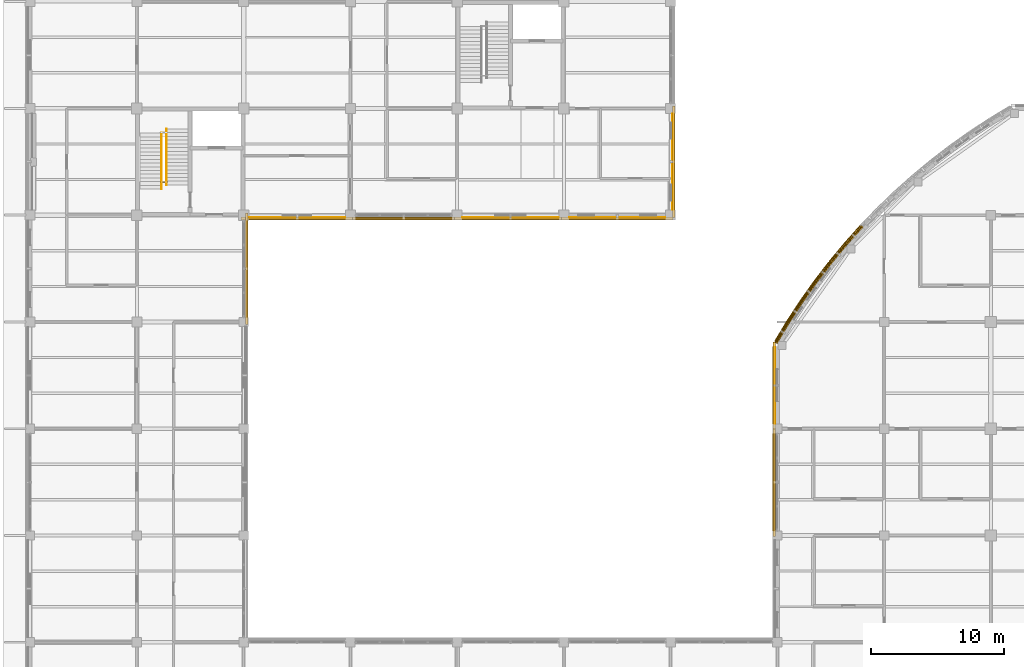
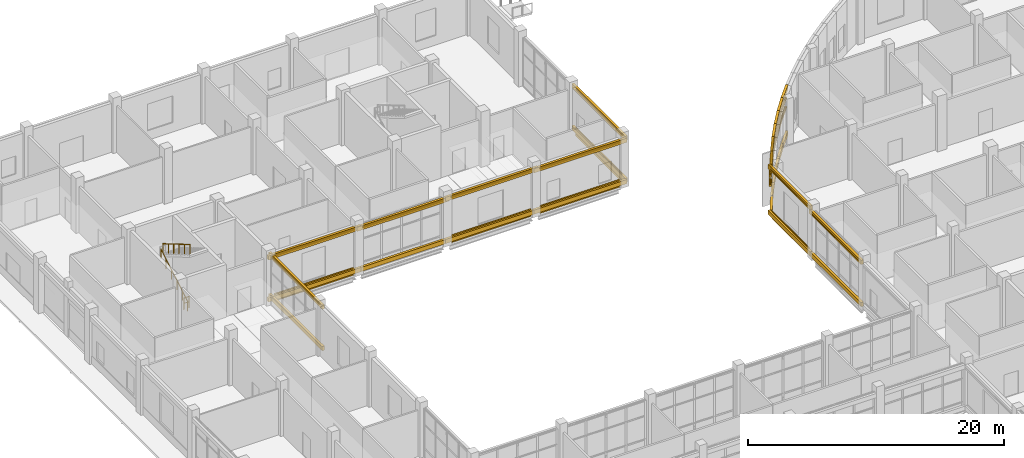
# One storey, part 99 of 105: 33 coverings, 20 shading devices, 3 railings.
"""IFC4 building model written with IfcOpenShell, lengths in metres."""

from ifc_helpers import new_model, si_unit, derived_unit, direction, frame, origin, origin_2d, place, context, subcontext, project, spatial, rectangle, circle, extrude, material, layer, layer_set, material_profile, profile_set, type_object, element, save


model = new_model("IFC4")

# Units and contexts
model_context = context("Model", 3, precision=1e-05, world=origin(), true_north=direction((0.0, 1.0)))
body_context = subcontext(model_context, "Body", "Model", "MODEL_VIEW")
ifc_project = project(units=[si_unit("LENGTHUNIT", "METRE"), si_unit("AREAUNIT", "SQUARE_METRE"), si_unit("VOLUMEUNIT", "CUBIC_METRE"), si_unit("PLANEANGLEUNIT", "RADIAN"), si_unit("MASSUNIT", "GRAM", prefix="KILO"), derived_unit("THERMALTRANSMITTANCEUNIT", [(si_unit("MASSUNIT", "GRAM", prefix="KILO"), 1), (si_unit("TIMEUNIT", "SECOND"), -3), (si_unit("THERMODYNAMICTEMPERATUREUNIT", "KELVIN"), -1)])], contexts=[model_context])

# Site, building, storey
site_placement = place(None, origin())
site = spatial("IfcSite", under=ifc_project, at=site_placement, CompositionType="ELEMENT")
building_placement = place(site_placement, origin())
building = spatial("IfcBuilding", under=site, at=building_placement, Name="Veyamyaing Civic Hall", CompositionType="ELEMENT")
storey_placement = place(building_placement, origin())
storey = spatial("IfcBuildingStorey", under=building, at=storey_placement, Name="L00", CompositionType="ELEMENT", Elevation=0.0)

# Coverings
ifc_material_1 = material(Name="Buff sandstone ashlar cladding", Category="masonry")
ifc_layer_1 = layer(ifc_material_1, 0.050048828125, Name="Buff sandstone ashlar cladding")
ifc_layer_set_1 = layer_set([ifc_layer_1], Name="Buff sandstone ashlar cladding")
covering_type_1 = type_object("IfcCoveringType", Name="CL-01", PredefinedType="CLADDING", material=ifc_layer_set_1)
covering_1_placement = place(storey_placement, frame((20.012451171875, 87.839111328125, 0.044921875), z_axis=(0.0, 0.0, 1.0), x_axis=(1.0, 0.0, 0.0)))
element("IfcCovering", 1, at=covering_1_placement, inside=storey, type_object=covering_type_1, Name="Facade spandrel cladding CL-01 L00 S 3.12", PredefinedType="CLADDING", context=body_context, shape_type="SweptSolid", body=[
    extrude(rectangle(XDim=7.175048828125, YDim=0.050048828125, at=origin_2d()), origin(), (0.0, 0.0, 1.0), 0.75),
])
for number, where, z_axis, x_axis, name in (
    (2, (36.0, 87.839111328125, 0.044921875), (0.0, 0.0, 1.0), (1.0, 0.0, 0.0), "Facade spandrel cladding CL-01 L00 S 5.12"),
    (3, (44.0, 87.839111328125, 0.044921875), (0.0, 0.0, 1.0), (1.0, 0.0, 0.0), "Facade spandrel cladding CL-01 L00 S 6.12"),
    (4, (48.160888671875, 92.0, 0.044921875), (0.0, 0.0, 1.0), (0.0, 1.0, 0.0), "Facade spandrel cladding CL-01 L00 E 6.12"),
):
    element("IfcCovering", number, at=place(storey_placement, frame(where, z_axis=z_axis, x_axis=x_axis)), inside=storey, type_object=covering_type_1, Name=name, PredefinedType="CLADDING", context=body_context, shape_type="SweptSolid", body=[
        extrude(rectangle(XDim=7.199951171875, YDim=0.050048828125, at=origin_2d()), origin(), (0.0, 0.0, 1.0), 0.75),
    ])
covering_2_placement = place(storey_placement, frame((55.826416015625, 75.240478515625, 0.044921875), z_axis=(0.0, 0.0, 1.0), x_axis=(0.0, 1.0, 0.0)))
element("IfcCovering", 5, at=covering_2_placement, inside=storey, type_object=covering_type_1, Name="Facade spandrel cladding CL-01 L00 W 8.10", PredefinedType="CLADDING", context=body_context, shape_type="SweptSolid", body=[
    extrude(rectangle(XDim=5.730712890625, YDim=0.050048828125, at=origin_2d()), origin(), (0.0, 0.0, 1.0), 0.75),
])
ifc_material_2 = material(Name="White powder-coated aluminium 6063-T6", Category="aluminium")
ifc_layer_2 = layer(ifc_material_2, 0.2099609375, Name="White powder-coated aluminium 6063-T6")
ifc_layer_set_2 = layer_set([ifc_layer_2], Name="White powder-coated aluminium 6063-T6")
covering_type_2 = type_object("IfcCoveringType", Name="CL-03", PredefinedType="CLADDING", material=ifc_layer_set_2)
for number, where, z_axis, x_axis, name in (
    (6, (61.72509765625, 86.463134765625, 0.27001953125), (0.0, 0.0, 1.0), (-0.666346529453, -0.745642208225, 0.0), "Continuous white corner ribbon CL-03 L00 NW.9.1"),
    (7, (61.72509765625, 86.463134765625, 4.64501953125), (0.0, 0.0, 1.0), (-0.666346529453, -0.745642208225, 0.0), "Continuous white corner ribbon CL-03 L00 NW.9.2"),
    (8, (60.55224609375, 85.1005859375, 0.27001953125), (0.0, 0.0, 1.0), (-0.638000405445, -0.770036026853, 0.0), "Continuous white corner ribbon CL-03 L00 NW.10.1"),
    (9, (60.55224609375, 85.1005859375, 4.64501953125), (0.0, 0.0, 1.0), (-0.638000405445, -0.770036026853, 0.0), "Continuous white corner ribbon CL-03 L00 NW.10.2"),
    (10, (59.431396484375, 83.69482421875, 0.27001953125), (0.0, 0.0, 1.0), (-0.608761490723, -0.793353292936, 0.0), "Continuous white corner ribbon CL-03 L00 NW.11.1"),
    (11, (59.431396484375, 83.69482421875, 4.64501953125), (0.0, 0.0, 1.0), (-0.608761490723, -0.793353292936, 0.0), "Continuous white corner ribbon CL-03 L00 NW.11.2"),
    (12, (58.364013671875, 82.248291015625, 0.27001953125), (0.0, 0.0, 1.0), (-0.578671161892, -0.815560964241, 0.0), "Continuous white corner ribbon CL-03 L00 NW.12.1"),
    (13, (58.364013671875, 82.248291015625, 4.64501953125), (0.0, 0.0, 1.0), (-0.578671161892, -0.815560964241, 0.0), "Continuous white corner ribbon CL-03 L00 NW.12.2"),
    (14, (57.351318359375, 80.76318359375, 0.27001953125), (0.0, 0.0, 1.0), (-0.547771714075, -0.836627843942, 0.0), "Continuous white corner ribbon CL-03 L00 NW.13.1"),
    (15, (57.351318359375, 80.76318359375, 4.64501953125), (0.0, 0.0, 1.0), (-0.547771714075, -0.836627843942, 0.0), "Continuous white corner ribbon CL-03 L00 NW.13.2"),
    (16, (56.394775390625, 79.24072265625, 0.27001953125), (0.0, 0.0, 1.0), (-0.516106513571, -0.856524411006, 0.0), "Continuous white corner ribbon CL-03 L00 NW.14.1"),
    (17, (56.394775390625, 79.24072265625, 4.64501953125), (0.0, 0.0, 1.0), (-0.516106513571, -0.856524411006, 0.0), "Continuous white corner ribbon CL-03 L00 NW.14.2"),
):
    element("IfcCovering", number, at=place(storey_placement, frame(where, z_axis=z_axis, x_axis=x_axis)), inside=storey, type_object=covering_type_2, Name=name, PredefinedType="CLADDING", context=body_context, shape_type="SweptSolid", body=[
        extrude(rectangle(XDim=1.93505859375, YDim=0.2099609375, at=origin_2d()), origin(), (0.0, 0.0, 1.0), 0.419921875),
    ])
for number, where, z_axis, x_axis, name in (
    (18, (16.239990234375, 84.0, 4.235107421875), (0.0, 0.0, 1.0), (0.0, 1.0, 0.0), "Continuous white head fascia ribbon CL-03 L00 E 2.11"),
    (19, (16.239990234375, 84.0, 0.280029296875), (0.0, 0.0, 1.0), (0.0, 1.0, 0.0), "Continuous white sill fascia ribbon CL-03 L00 E 2.11"),
    (20, (20.0, 87.760009765625, 4.2939453125), (0.0, 0.0, 1.0), (1.0, 0.0, 0.0), "Continuous white head fascia ribbon CL-03 L00 S 3.12"),
    (21, (20.0, 87.760009765625, 0.280029296875), (0.0, 0.0, 1.0), (1.0, 0.0, 0.0), "Continuous white sill fascia ribbon CL-03 L00 S 3.12"),
    (22, (28.0, 87.760009765625, 4.234130859375), (0.0, 0.0, 1.0), (1.0, 0.0, 0.0), "Continuous white head fascia ribbon CL-03 L00 S 4.12"),
    (23, (28.0, 87.760009765625, 0.280029296875), (0.0, 0.0, 1.0), (1.0, 0.0, 0.0), "Continuous white sill fascia ribbon CL-03 L00 S 4.12"),
    (24, (36.0, 87.760009765625, 4.297119140625), (0.0, 0.0, 1.0), (1.0, 0.0, 0.0), "Continuous white head fascia ribbon CL-03 L00 S 5.12"),
    (25, (36.0, 87.760009765625, 0.280029296875), (0.0, 0.0, 1.0), (1.0, 0.0, 0.0), "Continuous white sill fascia ribbon CL-03 L00 S 5.12"),
    (26, (44.0, 87.760009765625, 4.22998046875), (0.0, 0.0, 1.0), (1.0, 0.0, 0.0), "Continuous white head fascia ribbon CL-03 L00 S 6.12"),
    (27, (44.0, 87.760009765625, 0.280029296875), (0.0, 0.0, 1.0), (1.0, 0.0, 0.0), "Continuous white sill fascia ribbon CL-03 L00 S 6.12"),
    (28, (48.239990234375, 92.0, 4.2939453125), (0.0, 0.0, 1.0), (0.0, 1.0, 0.0), "Continuous white head fascia ribbon CL-03 L00 E 6.12"),
    (29, (48.239990234375, 92.0, 0.280029296875), (0.0, 0.0, 1.0), (0.0, 1.0, 0.0), "Continuous white sill fascia ribbon CL-03 L00 E 6.12"),
):
    element("IfcCovering", number, at=place(storey_placement, frame(where, z_axis=z_axis, x_axis=x_axis)), inside=storey, type_object=covering_type_2, Name=name, PredefinedType="CLADDING", context=body_context, shape_type="SweptSolid", body=[
        extrude(rectangle(XDim=8.360107421875, YDim=0.2099609375, at=origin_2d()), origin(), (0.0, 0.0, 1.0), 0.39990234375),
    ])
for number, where, z_axis, x_axis, name in (
    (30, (55.760009765625, 68.0, 4.297119140625), (0.0, 0.0, 1.0), (0.0, 1.0, 0.0), "Continuous white head fascia ribbon CL-03 L00 W 8.9"),
    (31, (55.760009765625, 68.0, 0.280029296875), (0.0, 0.0, 1.0), (0.0, 1.0, 0.0), "Continuous white sill fascia ribbon CL-03 L00 W 8.9"),
):
    element("IfcCovering", number, at=place(storey_placement, frame(where, z_axis=z_axis, x_axis=x_axis)), inside=storey, type_object=covering_type_2, Name=name, PredefinedType="CLADDING", context=body_context, shape_type="SweptSolid", body=[
        extrude(rectangle(XDim=8.1201171875, YDim=0.2099609375, at=origin_2d()), origin(), (0.0, 0.0, 1.0), 0.39990234375),
    ])
for number, where, z_axis, x_axis, name in (
    (32, (55.760009765625, 75.21533203125, 4.655029296875), (0.0, 0.0, 1.0), (0.0, 1.0, 0.0), "Continuous white head fascia ribbon CL-03 L00 W 8.10"),
    (33, (55.760009765625, 75.21533203125, 0.280029296875), (0.0, 0.0, 1.0), (0.0, 1.0, 0.0), "Continuous white sill fascia ribbon CL-03 L00 W 8.10"),
):
    element("IfcCovering", number, at=place(storey_placement, frame(where, z_axis=z_axis, x_axis=x_axis)), inside=storey, type_object=covering_type_2, Name=name, PredefinedType="CLADDING", context=body_context, shape_type="SweptSolid", body=[
        extrude(rectangle(XDim=6.55078125, YDim=0.2099609375, at=origin_2d()), origin(), (0.0, 0.0, 1.0), 0.39990234375),
    ])

# Railings
ifc_material_3 = material(Name="Steel S355J2", Category="steel")
railing_type_1 = type_object("IfcRailingType", Name="RL-01", PredefinedType="BALUSTRADE", material=ifc_material_3)
railing_1_placement = place(storey_placement, frame((9.800048828125, 90.47998046875, 0.0)))
element("IfcRailing", 34, at=railing_1_placement, inside=storey, type_object=railing_type_1, Name="Floor-landing slot guard RL-01 ST-01 L00", PredefinedType="BALUSTRADE", context=body_context, shape_type="SweptSolid", body=[
    extrude(circle(Radius=0.02392578125, at=origin_2d()), frame((0.0, 0.0, 1.076171875), z_axis=(1.0, 0.0, 0.0), x_axis=(0.0, 1.0, 0.0)), (0.0, 0.0, 1.0), 0.469970703125),
    extrude(circle(Radius=0.01416015625, at=origin_2d()), frame((0.0, 0.0, 0.572021484375), z_axis=(1.0, 0.0, 0.0), x_axis=(0.0, 1.0, 0.0)), (0.0, 0.0, 1.0), 0.469970703125),
    extrude(circle(Radius=0.02099609375, at=origin_2d()), origin(), (0.0, 0.0, 1.0), 1.052001953125),
    extrude(circle(Radius=0.02099609375, at=origin_2d()), frame((0.469970703125, 0.0, 0.0)), (0.0, 0.0, 1.0), 1.052001953125),
])
railing_type_2 = type_object("IfcRailingType", Name="RL-02", PredefinedType="HANDRAIL", material=ifc_material_3)
railing_2_placement = place(storey_placement, frame((9.840087890625, 89.949951171875, 0.1650390625)))
element("IfcRailing", 35, at=railing_2_placement, inside=storey, type_object=railing_type_2, Name="Stair pitch handrail RL-02 ST-01 L00.1", PredefinedType="HANDRAIL", context=body_context, shape_type="SweptSolid", body=[
    extrude(circle(Radius=0.02392578125, at=origin_2d()), frame((0.0, 0.0, 0.89599609375), z_axis=(0.0, 0.861549022881, 0.507674384988), x_axis=(-1.0, 0.0, 0.0)), (0.0, 0.0, 1.0), 4.875),
    extrude(circle(Radius=0.02099609375, at=origin_2d()), origin(), (0.0, 0.0, 1.0), 0.871826171875),
    extrude(circle(Radius=0.02099609375, at=origin_2d()), frame((0.0, 0.840087890625, 0.494873046875)), (0.0, 0.0, 1.0), 0.871826171875),
    extrude(circle(Radius=0.02099609375, at=origin_2d()), frame((0.0, 1.679931640625, 0.989990234375)), (0.0, 0.0, 1.0), 0.871826171875),
    extrude(circle(Radius=0.02099609375, at=origin_2d()), frame((0.0, 2.52001953125, 1.48486328125)), (0.0, 0.0, 1.0), 0.871826171875),
    extrude(circle(Radius=0.02099609375, at=origin_2d()), frame((0.0, 3.35986328125, 1.97998046875)), (0.0, 0.0, 1.0), 0.871826171875),
    extrude(circle(Radius=0.02099609375, at=origin_2d()), frame((0.0, 4.199951171875, 2.474853515625)), (0.0, 0.0, 1.0), 0.871826171875),
])
railing_3_placement = place(storey_placement, frame((10.219970703125, 94.469970703125, 2.804931640625)))
element("IfcRailing", 36, at=railing_3_placement, inside=storey, type_object=railing_type_2, Name="Stair pitch handrail RL-02 ST-01 L00.2", PredefinedType="HANDRAIL", context=body_context, shape_type="SweptSolid", body=[
    extrude(circle(Radius=0.02392578125, at=origin_2d()), frame((0.0, 0.0, 0.89599609375), z_axis=(0.0, -0.861527117747, 0.50771155727), x_axis=(1.0, 0.0, 0.0)), (0.0, 0.0, 1.0), 4.875),
    extrude(circle(Radius=0.02099609375, at=origin_2d()), origin(), (0.0, 0.0, 1.0), 0.871826171875),
    extrude(circle(Radius=0.02099609375, at=origin_2d()), frame((0.0, -0.840087890625, 0.4951171875)), (0.0, 0.0, 1.0), 0.871826171875),
    extrude(circle(Radius=0.02099609375, at=origin_2d()), frame((0.0, -1.679931640625, 0.989990234375)), (0.0, 0.0, 1.0), 0.871826171875),
    extrude(circle(Radius=0.02099609375, at=origin_2d()), frame((0.0, -2.52001953125, 1.485107421875)), (0.0, 0.0, 1.0), 0.871826171875),
    extrude(circle(Radius=0.02099609375, at=origin_2d()), frame((0.0, -3.35986328125, 1.97998046875)), (0.0, 0.0, 1.0), 0.871826171875),
    extrude(circle(Radius=0.02099609375, at=origin_2d()), frame((0.0, -4.199951171875, 2.47509765625)), (0.0, 0.0, 1.0), 0.871826171875),
])

# Shading devices
ifc_material_profile_1 = material_profile(ifc_material_2, circle(Radius=0.110107421875, at=origin_2d()), Name="SHADE-TUBE-220")
ifc_profile_set_1 = profile_set([ifc_material_profile_1], Name="White powder-coated aluminium 6063-T6")
shading_device_type_1 = type_object("IfcShadingDeviceType", Name="SH-01", PredefinedType="USERDEFINED", material=ifc_profile_set_1)
for number, where, z_axis, x_axis, name in (
    (37, (62.263427734375, 87.185791015625, 2.949951171875), (-0.666277888361, -0.745703543965, 0.0), (0.745703543965, -0.666277888361, 0.0), "White corner sunshade ribbon SH-01 L00 NW.9.1"),
    (38, (62.263427734375, 87.185791015625, 3.85009765625), (-0.666277888361, -0.745703543965, 0.0), (0.745703543965, -0.666277888361, 0.0), "White corner sunshade ribbon SH-01 L00 NW.9.2"),
    (39, (61.0634765625, 85.8427734375, 2.949951171875), (-0.637987912111, -0.770046377824, 0.0), (0.770046377824, -0.637987912111, 0.0), "White corner sunshade ribbon SH-01 L00 NW.10.1"),
    (40, (61.0634765625, 85.8427734375, 3.85009765625), (-0.637987912111, -0.770046377824, 0.0), (0.770046377824, -0.637987912111, 0.0), "White corner sunshade ribbon SH-01 L00 NW.10.2"),
    (41, (59.914306640625, 84.455810546875, 2.949951171875), (-0.608711298549, -0.79339180423, 0.0), (0.79339180423, -0.608711298549, 0.0), "White corner sunshade ribbon SH-01 L00 NW.11.1"),
    (42, (59.914306640625, 84.455810546875, 3.85009765625), (-0.608711298549, -0.79339180423, 0.0), (0.79339180423, -0.608711298549, 0.0), "White corner sunshade ribbon SH-01 L00 NW.11.2"),
):
    element("IfcShadingDevice", number, at=place(storey_placement, frame(where, z_axis=z_axis, x_axis=x_axis)), inside=storey, type_object=shading_device_type_1, Name=name, ObjectType="SUNSHADE", PredefinedType="USERDEFINED", context=body_context, shape_type="SweptSolid", body=[
        extrude(circle(Radius=0.110107421875, at=origin_2d()), origin(), (0.0, 0.0, 1.0), 1.795166015625),
    ])
for number, where, z_axis, x_axis, name in (
    (43, (58.818115234375, 83.026611328125, 2.949951171875), (-0.578726580586, -0.815521639764, 0.0), (0.815521639764, -0.578726580586, 0.0), "White corner sunshade ribbon SH-01 L00 NW.12.1"),
    (44, (58.818115234375, 83.026611328125, 3.85009765625), (-0.578726580586, -0.815521639764, 0.0), (0.815521639764, -0.578726580586, 0.0), "White corner sunshade ribbon SH-01 L00 NW.12.2"),
):
    element("IfcShadingDevice", number, at=place(storey_placement, frame(where, z_axis=z_axis, x_axis=x_axis)), inside=storey, type_object=shading_device_type_1, Name=name, ObjectType="SUNSHADE", PredefinedType="USERDEFINED", context=body_context, shape_type="SweptSolid", body=[
        extrude(circle(Radius=0.110107421875, at=origin_2d()), origin(), (0.0, 0.0, 1.0), 1.794921875),
    ])
for number, where, z_axis, x_axis, name in (
    (45, (57.77587890625, 81.557861328125, 2.949951171875), (-0.547776876079, -0.836624464161, 0.0), (0.836624464161, -0.547776876079, 0.0), "White corner sunshade ribbon SH-01 L00 NW.13.1"),
    (46, (57.77587890625, 81.557861328125, 3.85009765625), (-0.547776876079, -0.836624464161, 0.0), (0.836624464161, -0.547776876079, 0.0), "White corner sunshade ribbon SH-01 L00 NW.13.2"),
):
    element("IfcShadingDevice", number, at=place(storey_placement, frame(where, z_axis=z_axis, x_axis=x_axis)), inside=storey, type_object=shading_device_type_1, Name=name, ObjectType="SUNSHADE", PredefinedType="USERDEFINED", context=body_context, shape_type="SweptSolid", body=[
        extrude(circle(Radius=0.110107421875, at=origin_2d()), origin(), (0.0, 0.0, 1.0), 1.795166015625),
    ])
for number, where, z_axis, x_axis, name in (
    (47, (56.789306640625, 80.05078125, 2.949951171875), (-0.51607516088, -0.856543302071, 0.0), (0.856543302071, -0.51607516088, 0.0), "White corner sunshade ribbon SH-01 L00 NW.14.1"),
    (48, (56.789306640625, 80.05078125, 3.85009765625), (-0.51607516088, -0.856543302071, 0.0), (0.856543302071, -0.51607516088, 0.0), "White corner sunshade ribbon SH-01 L00 NW.14.2"),
):
    element("IfcShadingDevice", number, at=place(storey_placement, frame(where, z_axis=z_axis, x_axis=x_axis)), inside=storey, type_object=shading_device_type_1, Name=name, ObjectType="SUNSHADE", PredefinedType="USERDEFINED", context=body_context, shape_type="SweptSolid", body=[
        extrude(circle(Radius=0.110107421875, at=origin_2d()), origin(), (0.0, 0.0, 1.0), 1.794921875),
    ])
shading_device_1_placement = place(storey_placement, frame((55.760009765625, 64.3349609375, 4.45703125), z_axis=(0.0, 1.0, 0.0), x_axis=(-1.0, 0.0, 0.0)))
element("IfcShadingDevice", 49, at=shading_device_1_placement, inside=storey, type_object=shading_device_type_1, Name="Horizontal white sunshade ribbon SH-01 L00 W 8.9", ObjectType="SUNSHADE", PredefinedType="USERDEFINED", context=body_context, shape_type="SweptSolid", body=[
    extrude(circle(Radius=0.110107421875, at=origin_2d()), origin(), (0.0, 0.0, 1.0), 7.330078125),
])
shading_device_2_placement = place(storey_placement, frame((55.760009765625, 72.3349609375, 4.81494140625), z_axis=(0.0, 1.0, 0.0), x_axis=(-1.0, 0.0, 0.0)))
element("IfcShadingDevice", 50, at=shading_device_2_placement, inside=storey, type_object=shading_device_type_1, Name="Horizontal white sunshade ribbon SH-01 L00 W 8.10", ObjectType="SUNSHADE", PredefinedType="USERDEFINED", context=body_context, shape_type="SweptSolid", body=[
    extrude(circle(Radius=0.110107421875, at=origin_2d()), origin(), (0.0, 0.0, 1.0), 5.810791015625),
])
ifc_material_profile_2 = material_profile(ifc_material_2, circle(Radius=0.090087890625, at=origin_2d()), Name="SHADE-TUBE-180")
ifc_profile_set_2 = profile_set([ifc_material_profile_2], Name="White powder-coated aluminium 6063-T6")
shading_device_type_2 = type_object("IfcShadingDeviceType", Name="SH-02", PredefinedType="USERDEFINED", material=ifc_profile_set_2)
shading_device_3_placement = place(storey_placement, frame((16.239990234375, 80.3349609375, 4.39501953125), z_axis=(0.0, 1.0, 0.0), x_axis=(-1.0, 0.0, 0.0)))
element("IfcShadingDevice", 51, at=shading_device_3_placement, inside=storey, type_object=shading_device_type_2, Name="Horizontal white sunshade ribbon SH-02 L00 E 2.11", ObjectType="SUNSHADE", PredefinedType="USERDEFINED", context=body_context, shape_type="SweptSolid", body=[
    extrude(circle(Radius=0.090087890625, at=origin_2d()), origin(), (0.0, 0.0, 1.0), 7.280029296875),
])
shading_device_4_placement = place(storey_placement, frame((16.385009765625, 87.760009765625, 4.4541015625), z_axis=(1.0, 0.0, 0.0), x_axis=(0.0, 1.0, 0.0)))
element("IfcShadingDevice", 52, at=shading_device_4_placement, inside=storey, type_object=shading_device_type_2, Name="Horizontal white sunshade ribbon SH-02 L00 S 3.12", ObjectType="SUNSHADE", PredefinedType="USERDEFINED", context=body_context, shape_type="SweptSolid", body=[
    extrude(circle(Radius=0.090087890625, at=origin_2d()), origin(), (0.0, 0.0, 1.0), 7.2548828125),
])
for number, where, z_axis, x_axis, name in (
    (53, (24.360107421875, 87.760009765625, 4.39404296875), (1.0, 0.0, 0.0), (0.0, 1.0, 0.0), "Horizontal white sunshade ribbon SH-02 L00 S 4.12"),
    (54, (32.360107421875, 87.760009765625, 4.45703125), (1.0, 0.0, 0.0), (0.0, 1.0, 0.0), "Horizontal white sunshade ribbon SH-02 L00 S 5.12"),
    (55, (40.360107421875, 87.760009765625, 4.389892578125), (1.0, 0.0, 0.0), (0.0, 1.0, 0.0), "Horizontal white sunshade ribbon SH-02 L00 S 6.12"),
    (56, (48.239990234375, 88.360107421875, 4.4541015625), (0.0, 1.0, 0.0), (-1.0, 0.0, 0.0), "Horizontal white sunshade ribbon SH-02 L00 E 6.12"),
):
    element("IfcShadingDevice", number, at=place(storey_placement, frame(where, z_axis=z_axis, x_axis=x_axis)), inside=storey, type_object=shading_device_type_2, Name=name, ObjectType="SUNSHADE", PredefinedType="USERDEFINED", context=body_context, shape_type="SweptSolid", body=[
        extrude(circle(Radius=0.090087890625, at=origin_2d()), origin(), (0.0, 0.0, 1.0), 7.27978515625),
    ])

save(model, "model.ifc")
